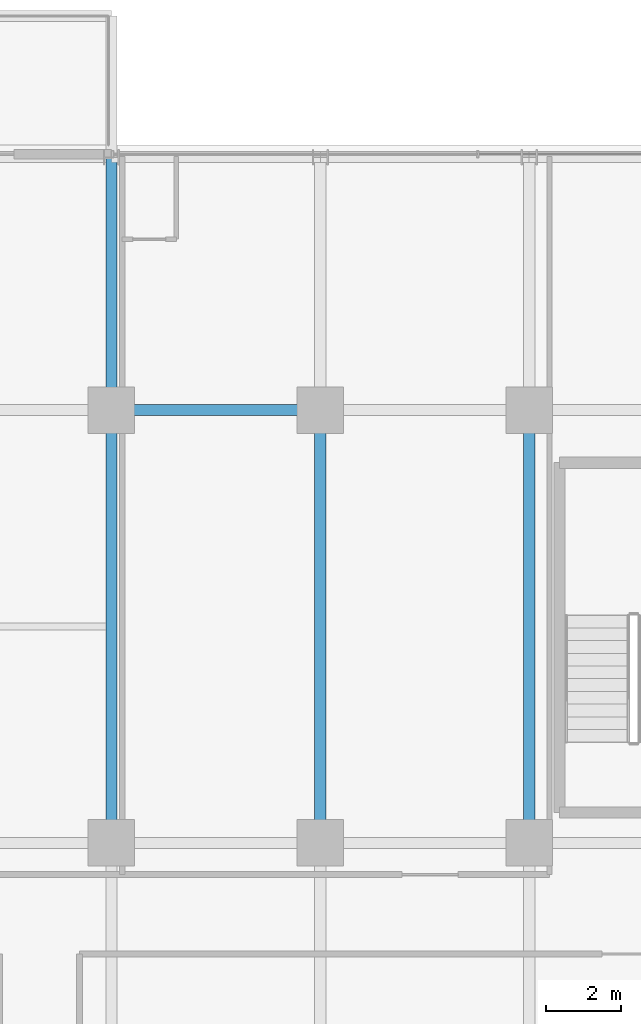
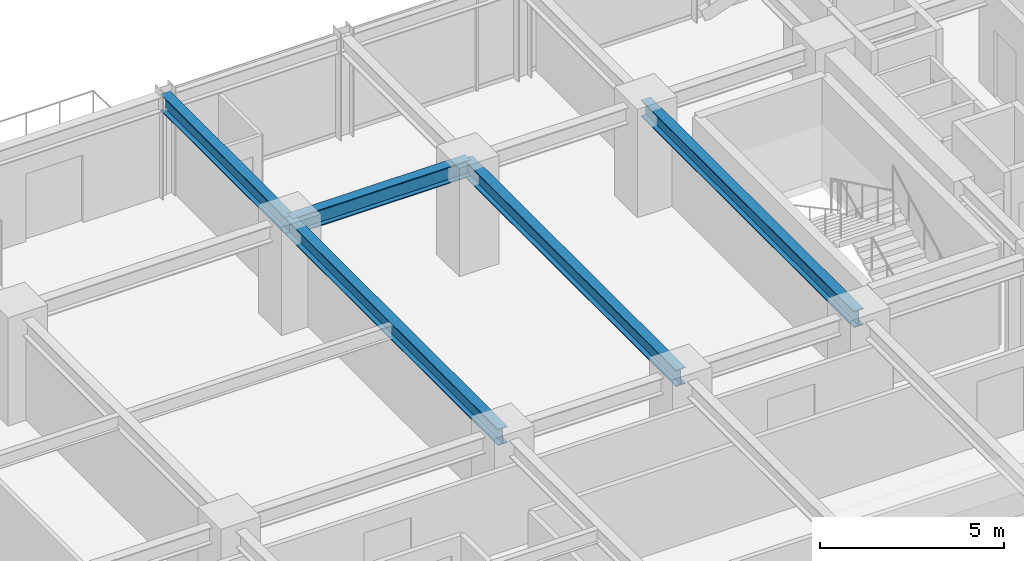
# One storey, part 20 of 35: 5 beams.
"""IFC4 building model written with IfcOpenShell, lengths in metres."""

import ifcopenshell
import ifcopenshell.guid

model = None  # the IFC model being written
_history = None  # IfcOwnerHistory: only IFC2X3 demands one
_inside = {}  # id of a spatial element -> (the spatial element, [elements in it])
_under = {}  # id of a project, library or spatial element -> (it, [spatial elements below it])
_declared = {}  # id of a project -> (the project, [libraries it declares])
_typed = {}  # id of a type object -> (the type object, [elements of that type])
_made_of = {}  # id of a material, layer set ... -> (it, [elements and type objects made of it])


def new_model(schema):
    """Start an empty IFC model of exactly this schema.

    Asked for "IFC4X3", IfcOpenShell would pick the latest addendum, in which some entities
    have other attributes; the version numbers below select the first issue.
    IFC2X3 requires an IfcOwnerHistory on every rooted entity: one is made here for all.
    """
    global model, _history
    if schema == "IFC4X3":
        model = ifcopenshell.file(schema_version=(4, 3, 0, 0))
    else:
        model = ifcopenshell.file(schema=schema)
    _inside.clear()
    _under.clear()
    _declared.clear()
    _typed.clear()
    _made_of.clear()
    _history = None
    if model.schema == "IFC2X3":
        org = make("IfcOrganization", Name="unknown")
        user = make(
            "IfcPersonAndOrganization",
            ThePerson=make("IfcPerson", FamilyName="unknown"),
            TheOrganization=org,
        )
        app = make(
            "IfcApplication",
            ApplicationDeveloper=org,
            Version="unknown",
            ApplicationFullName="unknown",
            ApplicationIdentifier="unknown",
        )
        _history = make(
            "IfcOwnerHistory",
            OwningUser=user,
            OwningApplication=app,
            ChangeAction="ADDED",
            CreationDate=0,
        )
    return model


def make(cls, **values):
    """One entity of the class cls with the attributes given. An attribute that is None is left unset."""
    return model.create_entity(
        cls, **{name: value for name, value in values.items() if value is not None}
    )


def rooted(cls, **values):
    """An entity with a GlobalId (a new one), such as an element, a storey or a relation."""
    return make(cls, GlobalId=ifcopenshell.guid.new(), OwnerHistory=_history, **values)


def si_unit(unit_type, name, prefix=None):
    """IfcSIUnit, for example si_unit("LENGTHUNIT", "METRE", prefix="MILLI")."""
    return make("IfcSIUnit", UnitType=unit_type, Prefix=prefix, Name=name)


def assignment(units):
    """IfcUnitAssignment: the units of a project."""
    return None if units is None else make("IfcUnitAssignment", Units=units)


def point(xyz):
    """IfcCartesianPoint."""
    return None if xyz is None else make("IfcCartesianPoint", Coordinates=xyz)


def direction(xyz):
    """IfcDirection."""
    return None if xyz is None else make("IfcDirection", DirectionRatios=xyz)


def frame(location, z_axis=None, x_axis=None):
    """IfcAxis2Placement3D, a coordinate frame: its origin and axes. An axis left out is left unset."""
    return make(
        "IfcAxis2Placement3D",
        Location=point(location),
        Axis=direction(z_axis),
        RefDirection=direction(x_axis),
    )


def frame_2d(location, x_axis=None):
    """IfcAxis2Placement2D, a coordinate frame in the plane: its origin and x axis."""
    return make(
        "IfcAxis2Placement2D", Location=point(location), RefDirection=direction(x_axis)
    )


def origin():
    """The frame at (0, 0, 0) with its axes left unset."""
    return frame((0.0, 0.0, 0.0))


def origin_2d():
    """The frame at (0, 0) in the plane with its x axis left unset."""
    return frame_2d((0.0, 0.0))


def place(relative_to, where):
    """IfcLocalPlacement: puts the frame where relative to a parent placement (None: the world)."""
    return make(
        "IfcLocalPlacement", PlacementRelTo=relative_to, RelativePlacement=where
    )


def context(
    kind, dimensions, precision=None, world=None, true_north=None, identifier=None
):
    """IfcGeometricRepresentationContext, for example the 3D "Model" context."""
    return make(
        "IfcGeometricRepresentationContext",
        ContextIdentifier=identifier,
        ContextType=kind,
        CoordinateSpaceDimension=dimensions,
        Precision=precision,
        WorldCoordinateSystem=world,
        TrueNorth=true_north,
    )


def subcontext(parent, identifier, kind, view, scale=None):
    """IfcGeometricRepresentationSubContext, for example "Body" below "Model"."""
    return make(
        "IfcGeometricRepresentationSubContext",
        ContextIdentifier=identifier,
        ContextType=kind,
        ParentContext=parent,
        TargetScale=scale,
        TargetView=view,
    )


def project(units=None, contexts=None):
    """IfcProject with its units and contexts."""
    return rooted(
        "IfcProject",
        Name="project",
        RepresentationContexts=contexts,
        UnitsInContext=assignment(units),
    )


def spatial(cls, under=None, at=None, **own):
    """A site, building, storey or space (cls), placed at a placement, below another one or the project."""
    s = rooted(cls, ObjectPlacement=at, **own)
    if under is not None:
        _under.setdefault(under.id(), (under, []))[1].append(s)
    return s


def profile(cls, at=None, kind="AREA", **sizes):
    """A parametric profile (cls). Its sizes go by their IFC names, for example OverallWidth=200.0."""
    return make(cls, ProfileType=kind, Position=at, **sizes)


def i_section(**sizes):
    """IfcIShapeProfileDef."""
    return profile("IfcIShapeProfileDef", **sizes)


def extrude(swept, where, along, depth):
    """IfcExtrudedAreaSolid: the profile swept, set in the frame where, extruded along a direction by depth."""
    return make(
        "IfcExtrudedAreaSolid",
        SweptArea=swept,
        Position=where,
        ExtrudedDirection=direction(along),
        Depth=depth,
    )


def shape(context_of_items, identifier, shape_type, items):
    """IfcShapeRepresentation: the items that make up one representation, for example the "Body"."""
    return make(
        "IfcShapeRepresentation",
        ContextOfItems=context_of_items,
        RepresentationIdentifier=identifier,
        RepresentationType=shape_type,
        Items=items,
    )


def source(mapping_origin, context_of_items, identifier, shape_type, items):
    """IfcRepresentationMap: a shape defined once, which mapped items show again and again."""
    return make(
        "IfcRepresentationMap",
        MappingOrigin=mapping_origin,
        MappedRepresentation=shape(context_of_items, identifier, shape_type, items),
    )


def transform(
    local_origin,
    x_axis=None,
    y_axis=None,
    z_axis=None,
    scale=None,
    scale2=None,
    scale3=None,
    uniform=True,
):
    """IfcCartesianTransformationOperator3D, or its non-uniform kind. x_axis, y_axis, z_axis: its Axis1, 2, 3."""
    if uniform:
        return make(
            "IfcCartesianTransformationOperator3D",
            Axis1=direction(x_axis),
            Axis2=direction(y_axis),
            LocalOrigin=point(local_origin),
            Scale=scale,
            Axis3=direction(z_axis),
        )
    return make(
        "IfcCartesianTransformationOperator3DnonUniform",
        Axis1=direction(x_axis),
        Axis2=direction(y_axis),
        LocalOrigin=point(local_origin),
        Scale=scale,
        Axis3=direction(z_axis),
        Scale2=scale2,
        Scale3=scale3,
    )


def mapped(mapping_source, mapping_target):
    """IfcMappedItem: shows the shape of a source again, moved by a transform."""
    return make(
        "IfcMappedItem", MappingSource=mapping_source, MappingTarget=mapping_target
    )


def material(Name=None, Category=None):
    """IfcMaterial."""
    return make("IfcMaterial", Name=Name, Category=Category)


def material_profile(
    of_material, cross_section, Name=None, Category=None, Priority=None
):
    """IfcMaterialProfile: a cross section and its material."""
    return make(
        "IfcMaterialProfile",
        Name=Name,
        Material=of_material,
        Profile=cross_section,
        Priority=Priority,
        Category=Category,
    )


def profile_set(profiles, Name=None, composite=None):
    """IfcMaterialProfileSet."""
    return make(
        "IfcMaterialProfileSet",
        Name=Name,
        MaterialProfiles=profiles,
        CompositeProfile=composite,
    )


def made_of(thing, what):
    """Note that an element or type object is made of a material, layer set ...; save() writes the relation."""
    if what is not None:
        _made_of.setdefault(what.id(), (what, []))[1].append(thing)
    return thing


def type_object(cls, material=None, **own):
    """A type object (cls), such as IfcWallType, which elements share."""
    return made_of(rooted(cls, **own), material)


def element(
    cls,
    number,
    at=None,
    inside=None,
    cuts=None,
    type_object=None,
    material=None,
    context=None,
    identifier="Body",
    shape_type=None,
    held_by="IfcProductDefinitionShape",
    body=None,
    shapes=None,
    **own,
):
    """One element of the class cls, such as IfcWall. Its Tag is "e" and its number.

    at: its placement. inside: the storey or other place that contains it. cuts: it is an
    opening in that element (IfcRelVoidsElement). A single representation is given by context,
    identifier, shape_type and body (its items); several are given by shapes. held_by: the class
    of the entity that holds the representations. save() writes the other relations.
    """
    e = rooted(cls, Tag="e%d" % number, ObjectPlacement=at, **own)
    if body is not None:
        shapes = [shape(context, identifier, shape_type, body)]
    if shapes is not None:
        e.Representation = make(held_by, Representations=shapes)
    if inside is not None:
        _inside.setdefault(inside.id(), (inside, []))[1].append(e)
    if cuts is not None:
        rooted(
            "IfcRelVoidsElement", RelatingBuildingElement=cuts, RelatedOpeningElement=e
        )
    if type_object is not None:
        _typed.setdefault(type_object.id(), (type_object, []))[1].append(e)
    return made_of(e, material)


def aggregate(whole, parts):
    """IfcRelAggregates: a whole, such as a stair, and the parts it consists of."""
    return rooted("IfcRelAggregates", RelatingObject=whole, RelatedObjects=parts)


def save(model, path):
    """Write the relations noted so far, then the file.

    IfcRelAggregates (storeys below a building ...), IfcRelContainedInSpatialStructure (elements
    in a storey), IfcRelDefinesByType, IfcRelAssociatesMaterial and IfcRelDeclares: one each for
    every whole, place, type object, material and project.
    """
    for whole, parts in _under.values():
        aggregate(whole, parts)
    for where, things in _inside.values():
        rooted(
            "IfcRelContainedInSpatialStructure",
            RelatedElements=things,
            RelatingStructure=where,
        )
    for kind, things in _typed.values():
        rooted("IfcRelDefinesByType", RelatedObjects=things, RelatingType=kind)
    for what, things in _made_of.values():
        rooted("IfcRelAssociatesMaterial", RelatedObjects=things, RelatingMaterial=what)
    for by, libraries in _declared.values():
        rooted("IfcRelDeclares", RelatingContext=by, RelatedDefinitions=libraries)
    model.write(path)


model = new_model("IFC4")

# Units and contexts
model_context = context("Model", 3, precision=1e-05, world=origin(), true_north=direction((0.0, 1.0)))
body_context = subcontext(model_context, "Body", "Model", "MODEL_VIEW")
ifc_project = project(units=[si_unit("LENGTHUNIT", "METRE"), si_unit("AREAUNIT", "SQUARE_METRE"), si_unit("VOLUMEUNIT", "CUBIC_METRE"), si_unit("PLANEANGLEUNIT", "RADIAN"), si_unit("MASSUNIT", "GRAM", prefix="KILO")], contexts=[model_context])

# Site, building, storey
site_placement = place(None, origin())
site = spatial("IfcSite", under=ifc_project, at=site_placement, CompositionType="ELEMENT")
building_placement = place(site_placement, origin())
building = spatial("IfcBuilding", under=site, at=building_placement, Name="Nahalor Promenade Grand Hotel", CompositionType="ELEMENT")
storey_placement = place(building_placement, frame((0.0, 0.0, 121.14990234375)))
storey = spatial("IfcBuildingStorey", under=building, at=storey_placement, Name="L30", CompositionType="ELEMENT", Elevation=121.14990234375)

# Beams
ifc_material = material(Name="Steel S355JR", Category="steel")
ifc_material_profile = material_profile(ifc_material, i_section(OverallWidth=0.3, OverallDepth=0.55, WebThickness=0.015, FlangeThickness=0.029, at=origin_2d()), Name="HEB 550")
ifc_profile_set = profile_set([ifc_material_profile], Name="Steel S355JR")
beam_type = type_object("IfcBeamType", Name="Beam-Girder-HEB550", PredefinedType="BEAM", material=ifc_profile_set)
shared_shape_1 = source(origin(), body_context, "Body", "SweptSolid", [
    extrude(i_section(OverallWidth=0.3, OverallDepth=0.55, WebThickness=0.015, FlangeThickness=0.029, at=origin_2d()), origin(), (0.0, 0.0, 1.0), 6.780029296875),
])
beam_1_placement = place(storey_placement, frame((-8.39990234375, 17.0, 3.10498046875), z_axis=(0.0, 1.0, 0.0), x_axis=(-1.0, 0.0, 0.0)))
element("IfcBeam", 1, at=beam_1_placement, inside=storey, type_object=beam_type, Name="BM-L30-GY-1-4", PredefinedType="BEAM", context=body_context, shape_type="MappedRepresentation", body=[
    mapped(shared_shape_1, transform((0.0, 0.0, 0.0), scale=1.0)),
])
shared_shape_2 = source(origin(), body_context, "Body", "SweptSolid", [
    extrude(i_section(OverallWidth=0.3, OverallDepth=0.55, WebThickness=0.015, FlangeThickness=0.029, at=origin_2d()), origin(), (0.0, 0.0, 1.0), 5.599853515625),
])
beam_2_placement = place(storey_placement, frame((-8.39990234375, 17.0, 3.10498046875), z_axis=(1.0, 0.0, 0.0), x_axis=(0.0, 1.0, 0.0)))
element("IfcBeam", 2, at=beam_2_placement, inside=storey, type_object=beam_type, Name="BM-L30-GX-3-2", PredefinedType="BEAM", context=body_context, shape_type="MappedRepresentation", body=[
    mapped(shared_shape_2, transform((0.0, 0.0, 0.0), scale=1.0)),
])
shared_shape_3 = source(origin(), body_context, "Body", "SweptSolid", [
    extrude(i_section(OverallWidth=0.3, OverallDepth=0.55, WebThickness=0.015, FlangeThickness=0.029, at=origin_2d()), origin(), (0.0, 0.0, 1.0), 11.60009765625),
])
for number, where, z_axis, x_axis, name in (
    (3, (-8.39990234375, 5.39990234375, 3.10498046875), (0.0, 1.0, 0.0), (-1.0, 0.0, 0.0), "BM-L30-GY-1-3"),
    (4, (-2.800048828125, 5.39990234375, 3.10498046875), (0.0, 1.0, 0.0), (-1.0, 0.0, 0.0), "BM-L30-GY-2-3"),
    (5, (2.800048828125, 5.39990234375, 3.10498046875), (0.0, 1.0, 0.0), (-1.0, 0.0, 0.0), "BM-L30-GY-3-3"),
):
    element("IfcBeam", number, at=place(storey_placement, frame(where, z_axis=z_axis, x_axis=x_axis)), inside=storey, type_object=beam_type, Name=name, PredefinedType="BEAM", context=body_context, shape_type="MappedRepresentation", body=[
        mapped(shared_shape_3, transform((0.0, 0.0, 0.0), scale=1.0)),
    ])

save(model, "model.ifc")
